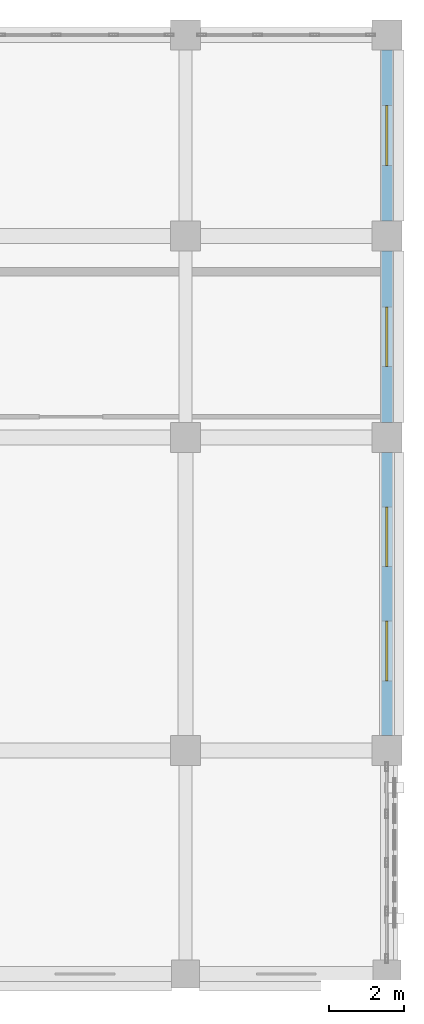
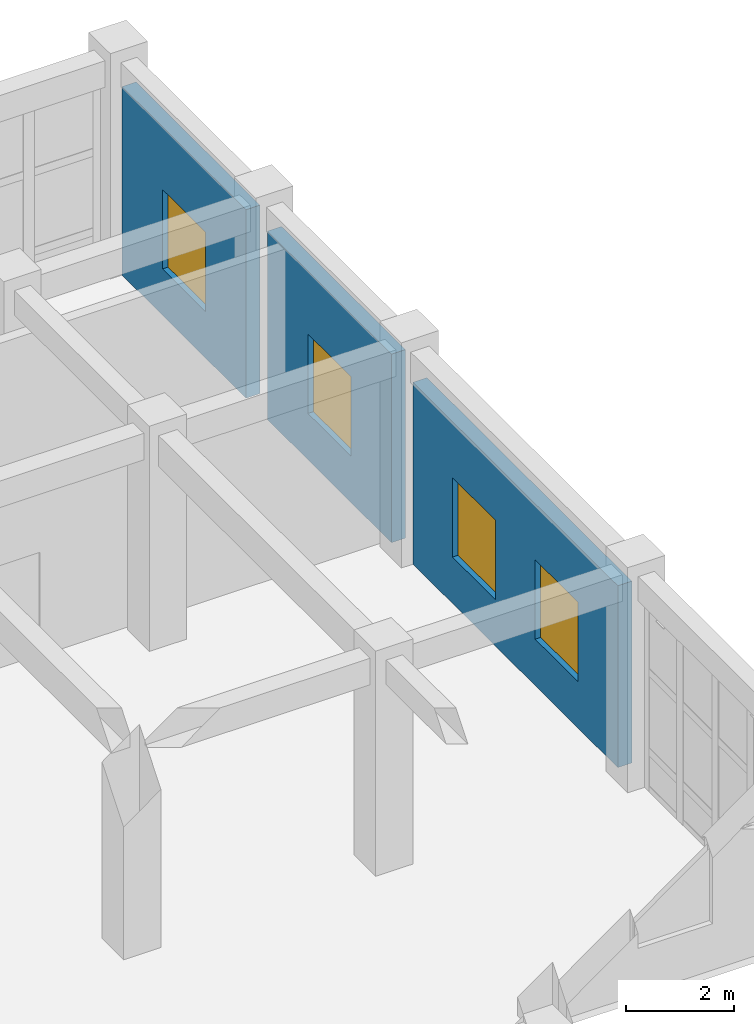
# One storey, part 82 of 93: 4 windows, 3 walls, 4 openings.
"""IFC4 building model written with IfcOpenShell, lengths in metres."""

from ifc_helpers import new_model, si_unit, direction, frame, frame_2d, origin, place, context, subcontext, project, spatial, rectangle, extrude, material, layer, layer_set, type_object, element, fill, save


model = new_model("IFC4")

# Units and contexts
model_context = context("Model", 3, precision=1e-05, world=origin(), true_north=direction((0.0, 1.0)))
body_context = subcontext(model_context, "Body", "Model", "MODEL_VIEW")
ifc_project = project(units=[si_unit("LENGTHUNIT", "METRE"), si_unit("AREAUNIT", "SQUARE_METRE"), si_unit("VOLUMEUNIT", "CUBIC_METRE"), si_unit("PLANEANGLEUNIT", "RADIAN"), si_unit("MASSUNIT", "GRAM", prefix="KILO")], contexts=[model_context])

# Site, building, storey
site_placement = place(None, origin())
site = spatial("IfcSite", under=ifc_project, at=site_placement, CompositionType="ELEMENT")
building_placement = place(site_placement, origin())
building = spatial("IfcBuilding", under=site, at=building_placement, Name="Krzemoval Escarpment Law Courts", CompositionType="ELEMENT")
storey_placement = place(building_placement, frame((0.0, 0.0, 10.199951171875)))
storey = spatial("IfcBuildingStorey", under=building, at=storey_placement, Name="L02", CompositionType="ELEMENT", Elevation=10.199951171875)

# Wall, opening, window
ifc_material_1 = material(Name="Precast concrete C40/50", Category="concrete")
ifc_layer = layer(ifc_material_1, 0.300048828125)
ifc_layer_set = layer_set([ifc_layer], Name="Precast concrete C40/50")
wall_type = type_object("IfcWallType", Name="WL-EXT-300", PredefinedType="SOLIDWALL", material=ifc_layer_set)
wall_1_placement = place(storey_placement, frame((172.800048828125, 118.39990234375, 0.0), z_axis=(0.0, 0.0, 1.0), x_axis=(0.0, -1.0, 0.0)))
wall_1 = element("IfcWall", 1, at=wall_1_placement, inside=storey, type_object=wall_type, Name="Exterior Wall EW-L02-0311", PredefinedType="SOLIDWALL", context=body_context, shape_type="SweptSolid", body=[
    extrude(rectangle(XDim=4.599853515625, YDim=0.300048828125, at=frame_2d((2.2998046875, 0.0))), origin(), (0.0, 0.0, 1.0), 4.27001953125),
])
opening_1_placement = place(wall_1_placement, frame((1.5, 0.0, 1.050048828125)))
opening_1 = element("IfcOpeningElement", 2, at=opening_1_placement, cuts=wall_1, Name="Opening WN-L02-0340", PredefinedType="OPENING", context=body_context, shape_type="SweptSolid", body=[
    extrude(rectangle(XDim=1.60009765625, YDim=1.800048828125, at=frame_2d((0.800048828125, 0.89990234375))), frame((0.0, 0.16502, 0.0), z_axis=(0.0, -1.0, 0.0), x_axis=(1.0, 0.0, 0.0)), (0.0, 0.0, 1.0), 0.33005),
])
ifc_material_2 = material(Name="Thermally Broken Aluminium Frame with Triple Low-E Acoustic Glass", Category="aluminium")
window_type = type_object("IfcWindowType", Name="WN-1600x1800", PartitioningType="SINGLE_PANEL", PredefinedType="WINDOW", material=ifc_material_2)
window_1_placement = place(opening_1_placement, origin())
window_1 = element("IfcWindow", 3, at=window_1_placement, inside=storey, type_object=window_type, Name="Facade Window WN-L02-0340", OverallHeight=1.800048828125, OverallWidth=1.60009765625, PartitioningType="SINGLE_PANEL", PredefinedType="WINDOW", context=body_context, shape_type="SweptSolid", body=[
    extrude(rectangle(XDim=1.60009765625, YDim=1.800048828125, at=frame_2d((0.800048828125, 0.89990234375))), frame((0.0, 0.030029296875, 0.0), z_axis=(0.0, -1.0, 0.0), x_axis=(1.0, 0.0, 0.0)), (0.0, 0.0, 1.0), 0.06005859375),
])
fill(opening_1, window_1)

wall_2_placement = place(storey_placement, frame((172.800048828125, 113.0, 0.0), z_axis=(0.0, 0.0, 1.0), x_axis=(0.0, -1.0, 0.0)))
wall_2 = element("IfcWall", 4, at=wall_2_placement, inside=storey, type_object=wall_type, Name="Exterior Wall EW-L02-0312", PredefinedType="SOLIDWALL", context=body_context, shape_type="SweptSolid", body=[
    extrude(rectangle(XDim=4.60009765625, YDim=0.300048828125, at=frame_2d((2.300048828125, 0.0))), origin(), (0.0, 0.0, 1.0), 4.27001953125),
])
opening_2_placement = place(wall_2_placement, frame((1.5, 0.0, 1.050048828125)))
opening_2 = element("IfcOpeningElement", 5, at=opening_2_placement, cuts=wall_2, Name="Opening WN-L02-0341", PredefinedType="OPENING", context=body_context, shape_type="SweptSolid", body=[
    extrude(rectangle(XDim=1.60009765625, YDim=1.800048828125, at=frame_2d((0.800048828125, 0.89990234375))), frame((0.0, 0.16502, 0.0), z_axis=(0.0, -1.0, 0.0), x_axis=(1.0, 0.0, 0.0)), (0.0, 0.0, 1.0), 0.33005),
])
window_2_placement = place(opening_2_placement, origin())
window_2 = element("IfcWindow", 6, at=window_2_placement, inside=storey, type_object=window_type, Name="Facade Window WN-L02-0341", OverallHeight=1.800048828125, OverallWidth=1.60009765625, PartitioningType="SINGLE_PANEL", PredefinedType="WINDOW", context=body_context, shape_type="SweptSolid", body=[
    extrude(rectangle(XDim=1.60009765625, YDim=1.800048828125, at=frame_2d((0.800048828125, 0.89990234375))), frame((0.0, 0.030029296875, 0.0), z_axis=(0.0, -1.0, 0.0), x_axis=(1.0, 0.0, 0.0)), (0.0, 0.0, 1.0), 0.06005859375),
])
fill(opening_2, window_2)

# Wall, openings, windows
wall_3_placement = place(storey_placement, frame((172.800048828125, 107.60009765625, 0.0), z_axis=(0.0, 0.0, 1.0), x_axis=(0.0, -1.0, 0.0)))
wall_3 = element("IfcWall", 7, at=wall_3_placement, inside=storey, type_object=wall_type, Name="Exterior Wall EW-L02-0313", PredefinedType="SOLIDWALL", context=body_context, shape_type="SweptSolid", body=[
    extrude(rectangle(XDim=7.60009765625, YDim=0.300048828125, at=frame_2d((3.800048828125, 0.0))), origin(), (0.0, 0.0, 1.0), 4.1201171875),
])
opening_3_placement = place(wall_3_placement, frame((1.467041015625, 0.0, 1.050048828125)))
opening_3 = element("IfcOpeningElement", 8, at=opening_3_placement, cuts=wall_3, Name="Opening WN-L02-0342", PredefinedType="OPENING", context=body_context, shape_type="SweptSolid", body=[
    extrude(rectangle(XDim=1.60009765625, YDim=1.800048828125, at=frame_2d((0.800048828125, 0.89990234375))), frame((0.0, 0.16502, 0.0), z_axis=(0.0, -1.0, 0.0), x_axis=(1.0, 0.0, 0.0)), (0.0, 0.0, 1.0), 0.33005),
])
opening_4_placement = place(wall_3_placement, frame((4.532958984375, 0.0, 1.050048828125)))
opening_4 = element("IfcOpeningElement", 9, at=opening_4_placement, cuts=wall_3, Name="Opening WN-L02-0343", PredefinedType="OPENING", context=body_context, shape_type="SweptSolid", body=[
    extrude(rectangle(XDim=1.60009765625, YDim=1.800048828125, at=frame_2d((0.800048828125, 0.89990234375))), frame((0.0, 0.16502, 0.0), z_axis=(0.0, -1.0, 0.0), x_axis=(1.0, 0.0, 0.0)), (0.0, 0.0, 1.0), 0.33005),
])
window_3_placement = place(opening_3_placement, origin())
window_3 = element("IfcWindow", 10, at=window_3_placement, inside=storey, type_object=window_type, Name="Facade Window WN-L02-0342", OverallHeight=1.800048828125, OverallWidth=1.60009765625, PartitioningType="SINGLE_PANEL", PredefinedType="WINDOW", context=body_context, shape_type="SweptSolid", body=[
    extrude(rectangle(XDim=1.60009765625, YDim=1.800048828125, at=frame_2d((0.800048828125, 0.89990234375))), frame((0.0, 0.030029296875, 0.0), z_axis=(0.0, -1.0, 0.0), x_axis=(1.0, 0.0, 0.0)), (0.0, 0.0, 1.0), 0.06005859375),
])
fill(opening_3, window_3)
window_4_placement = place(opening_4_placement, origin())
window_4 = element("IfcWindow", 11, at=window_4_placement, inside=storey, type_object=window_type, Name="Facade Window WN-L02-0343", OverallHeight=1.800048828125, OverallWidth=1.60009765625, PartitioningType="SINGLE_PANEL", PredefinedType="WINDOW", context=body_context, shape_type="SweptSolid", body=[
    extrude(rectangle(XDim=1.60009765625, YDim=1.800048828125, at=frame_2d((0.800048828125, 0.89990234375))), frame((0.0, 0.030029296875, 0.0), z_axis=(0.0, -1.0, 0.0), x_axis=(1.0, 0.0, 0.0)), (0.0, 0.0, 1.0), 0.06005859375),
])
fill(opening_4, window_4)

save(model, "model.ifc")
